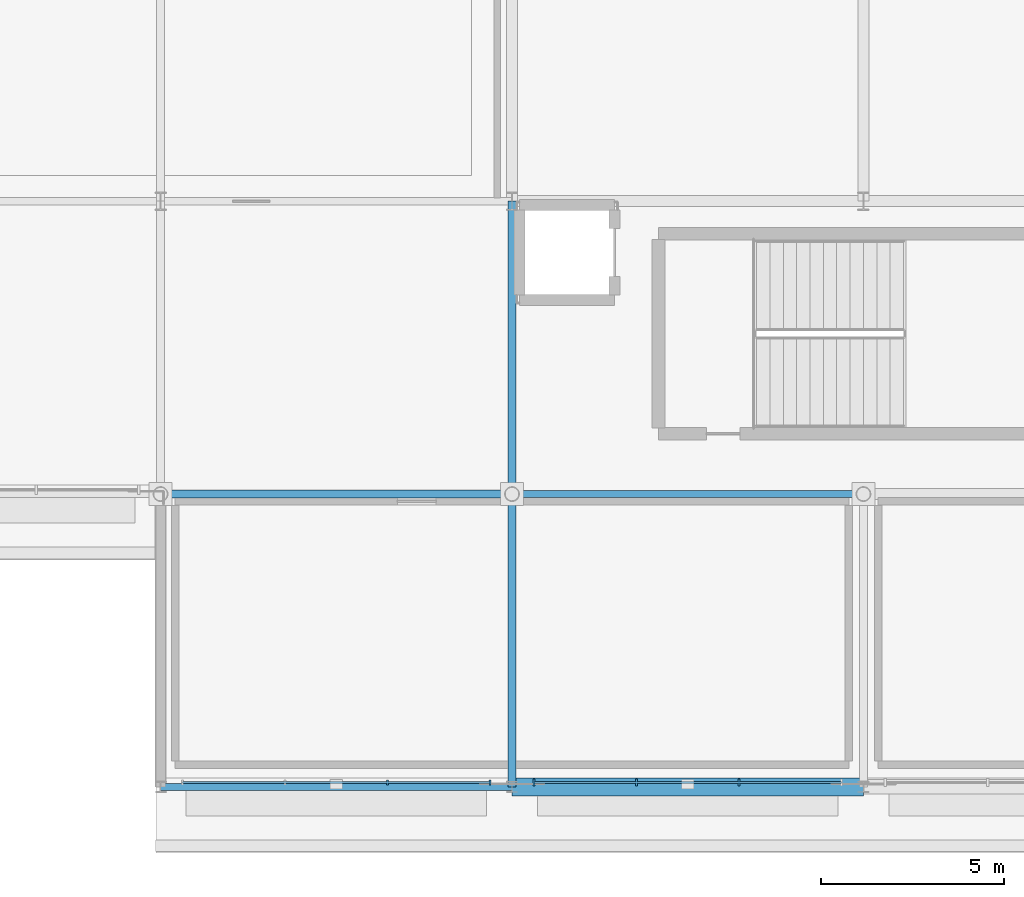
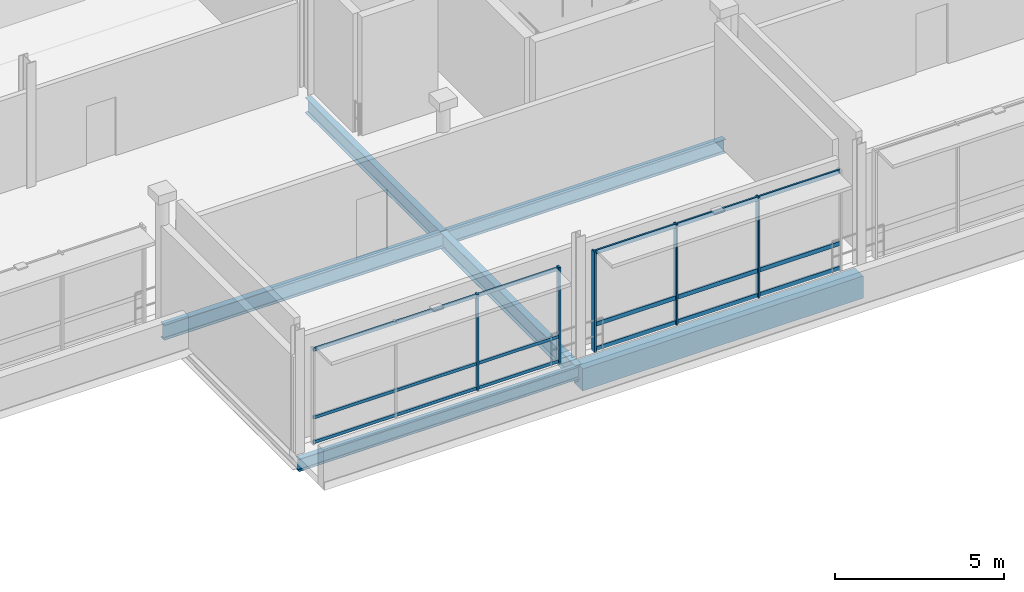
# One storey, part 75 of 193: 11 members, 6 beams, 2 elements without a shape of their own.
"""IFC4 building model written with IfcOpenShell, lengths in metres."""

from ifc_helpers import new_model, si_unit, direction, frame, origin, origin_2d, place, context, subcontext, project, spatial, rectangle, i_section, extrude, material, material_profile, profile_set, type_object, element, aggregate, save


model = new_model("IFC4")

# Units and contexts
model_context = context("Model", 3, precision=1e-05, world=origin(), true_north=direction((0.0, 1.0)))
body_context = subcontext(model_context, "Body", "Model", "MODEL_VIEW")
ifc_project = project(units=[si_unit("LENGTHUNIT", "METRE"), si_unit("AREAUNIT", "SQUARE_METRE"), si_unit("VOLUMEUNIT", "CUBIC_METRE"), si_unit("PLANEANGLEUNIT", "RADIAN"), si_unit("MASSUNIT", "GRAM", prefix="KILO")], contexts=[model_context])

# Site, building, storey
site_placement = place(None, origin())
site = spatial("IfcSite", under=ifc_project, at=site_placement, CompositionType="ELEMENT")
building_placement = place(site_placement, origin())
building = spatial("IfcBuilding", under=site, at=building_placement, Name="Danafjord Basin Convention Centre", CompositionType="ELEMENT")
storey_placement = place(building_placement, frame((0.0, 0.0, 11.39990234375)))
storey = spatial("IfcBuildingStorey", under=building, at=storey_placement, Name="L02", CompositionType="ELEMENT", Elevation=11.39990234375)

# Beams
ifc_material_1 = material(Name="Steel S355", Category="steel")
ifc_material_profile_1 = material_profile(ifc_material_1, i_section(OverallWidth=0.199951171875, OverallDepth=0.5, WebThickness=0.01025390625, FlangeThickness=0.01611328125, FilletRadius=0.02099609375, at=origin_2d()), Name="IPE 500")
ifc_profile_set_1 = profile_set([ifc_material_profile_1], Name="Steel S355")
beam_type_1 = type_object("IfcBeamType", Name="BEAM-BM-IPE500", PredefinedType="BEAM", material=ifc_profile_set_1)
beam_1_placement = place(storey_placement, frame((182.39990234375, 8.0, -0.47998046875), z_axis=(1.0, 0.0, 0.0), x_axis=(0.0, 1.0, 0.0)))
element("IfcBeam", 1, at=beam_1_placement, inside=storey, type_object=beam_type_1, Name="L02 girder BM-IPE500", PredefinedType="BEAM", context=body_context, shape_type="SweptSolid", body=[
    extrude(i_section(OverallWidth=0.199951171875, OverallDepth=0.5, WebThickness=0.01025390625, FlangeThickness=0.01611328125, FilletRadius=0.02099609375, at=origin_2d()), origin(), (0.0, 0.0, 1.0), 9.60009765625),
])
ifc_material_profile_2 = material_profile(ifc_material_1, i_section(OverallWidth=0.2099609375, OverallDepth=0.550048828125, WebThickness=0.010986328125, FlangeThickness=0.01708984375, FilletRadius=0.02392578125, at=origin_2d()), Name="IPE 550")
ifc_profile_set_2 = profile_set([ifc_material_profile_2], Name="Steel S355")
beam_type_2 = type_object("IfcBeamType", Name="BEAM-BM-IPE550", PredefinedType="BEAM", material=ifc_profile_set_2)
beam_2_placement = place(storey_placement, frame((172.800048828125, 8.0, -0.5048828125), z_axis=(1.0, 0.0, 0.0), x_axis=(0.0, 1.0, 0.0)))
element("IfcBeam", 2, at=beam_2_placement, inside=storey, type_object=beam_type_2, Name="L02 girder BM-IPE550", PredefinedType="BEAM", context=body_context, shape_type="SweptSolid", body=[
    extrude(i_section(OverallWidth=0.2099609375, OverallDepth=0.550048828125, WebThickness=0.010986328125, FlangeThickness=0.01708984375, FilletRadius=0.02392578125, at=origin_2d()), origin(), (0.0, 0.0, 1.0), 9.599853515625),
])
beam_3_placement = place(storey_placement, frame((182.39990234375, 8.0, -0.5048828125), z_axis=(0.0, 1.0, 0.0), x_axis=(-1.0, 0.0, 0.0)))
element("IfcBeam", 3, at=beam_3_placement, inside=storey, type_object=beam_type_2, Name="L02 transverse girder BM-IPE550", PredefinedType="BEAM", context=body_context, shape_type="SweptSolid", body=[
    extrude(i_section(OverallWidth=0.2099609375, OverallDepth=0.550048828125, WebThickness=0.010986328125, FlangeThickness=0.01708984375, FilletRadius=0.02392578125, at=origin_2d()), origin(), (0.0, 0.0, 1.0), 8.0),
])
ifc_material_profile_3 = material_profile(ifc_material_1, i_section(OverallWidth=0.219970703125, OverallDepth=0.60009765625, WebThickness=0.011962890625, FlangeThickness=0.01904296875, FilletRadius=0.02392578125, at=origin_2d()), Name="IPE 600")
ifc_profile_set_3 = profile_set([ifc_material_profile_3], Name="Steel S355")
beam_type_3 = type_object("IfcBeamType", Name="BEAM-BM-IPE600", PredefinedType="BEAM", material=ifc_profile_set_3)
beam_4_placement = place(storey_placement, frame((182.39990234375, 0.0, -0.52978515625), z_axis=(0.0, 1.0, 0.0), x_axis=(-1.0, 0.0, 0.0)))
element("IfcBeam", 4, at=beam_4_placement, inside=storey, type_object=beam_type_3, Name="L02 transverse girder BM-IPE600", PredefinedType="BEAM", context=body_context, shape_type="SweptSolid", body=[
    extrude(i_section(OverallWidth=0.219970703125, OverallDepth=0.60009765625, WebThickness=0.011962890625, FlangeThickness=0.01904296875, FilletRadius=0.02392578125, at=origin_2d()), origin(), (0.0, 0.0, 1.0), 8.0),
])
ifc_material_profile_4 = material_profile(ifc_material_1, i_section(OverallWidth=0.18994140625, OverallDepth=0.449951171875, WebThickness=0.009521484375, FlangeThickness=0.0146484375, FilletRadius=0.02099609375, at=origin_2d()), Name="IPE 450")
ifc_profile_set_4 = profile_set([ifc_material_profile_4], Name="Steel S355")
beam_type_4 = type_object("IfcBeamType", Name="BEAM-SP-IPE450", PredefinedType="SPANDREL", material=ifc_profile_set_4)
beam_5_placement = place(storey_placement, frame((172.800048828125, 0.0, -0.454833984375), z_axis=(1.0, 0.0, 0.0), x_axis=(0.0, 1.0, 0.0)))
element("IfcBeam", 5, at=beam_5_placement, inside=storey, type_object=beam_type_4, Name="L02 girder SP-IPE450", PredefinedType="SPANDREL", context=body_context, shape_type="SweptSolid", body=[
    extrude(i_section(OverallWidth=0.18994140625, OverallDepth=0.449951171875, WebThickness=0.009521484375, FlangeThickness=0.0146484375, FilletRadius=0.02099609375, at=origin_2d()), origin(), (0.0, 0.0, 1.0), 9.599853515625),
])
ifc_material_2 = material(Name="Precast concrete C45/55", Category="concrete")
ifc_material_profile_5 = material_profile(ifc_material_2, rectangle(XDim=0.5, YDim=0.800048828125, at=origin_2d()), Name="PCB 500x800")
ifc_profile_set_5 = profile_set([ifc_material_profile_5], Name="Precast concrete C45/55")
beam_type_5 = type_object("IfcBeamType", Name="BEAM-SP-PCB800", PredefinedType="SPANDREL", material=ifc_profile_set_5)
beam_6_placement = place(storey_placement, frame((182.39990234375, 0.0, -0.6298828125), z_axis=(1.0, 0.0, 0.0), x_axis=(0.0, 1.0, 0.0)))
element("IfcBeam", 6, at=beam_6_placement, inside=storey, type_object=beam_type_5, Name="L02 girder SP-PCB800", PredefinedType="SPANDREL", context=body_context, shape_type="SweptSolid", body=[
    extrude(rectangle(XDim=0.5, YDim=0.800048828125, at=origin_2d()), origin(), (0.0, 0.0, 1.0), 9.60009765625),
])

# Curtain wall, members
ifc_material_3 = material(Name="Anodised aluminium and triple glazing", Category="aluminium")
curtain_wall_type = type_object("IfcCurtainWallType", Name="CW-CW-HARB", PredefinedType="NOTDEFINED", material=ifc_material_3)
curtain_wall_1_placement = place(storey_placement, origin())
curtain_wall_1 = element("IfcCurtainWall", 7, at=curtain_wall_1_placement, inside=storey, type_object=curtain_wall_type, Name="L02 CW-HARB unitised curtain wall bay 135", PredefinedType="NOTDEFINED")
ifc_material_4 = material(Name="Anodised aluminium EN AW-6060", Category="aluminium")
ifc_material_profile_6 = material_profile(ifc_material_4, rectangle(XDim=0.06005859375, YDim=0.139892578125, at=origin_2d()), Name="MULL 60x140")
ifc_profile_set_6 = profile_set([ifc_material_profile_6], Name="Anodised aluminium EN AW-6060")
member_type_1 = type_object("IfcMemberType", Name="MEM-ML-140", PredefinedType="MULLION", material=ifc_profile_set_6)
member_1_placement = place(storey_placement, frame((179.0, 0.1201171875, -0.02490234375), z_axis=(0.0, 0.0, 1.0), x_axis=(1.0, 0.0, 0.0)))
member_1 = element("IfcMember", 8, at=member_1_placement, type_object=member_type_1, Name="CW-L02-135 mullion 3", PredefinedType="MULLION", context=body_context, shape_type="SweptSolid", body=[
    extrude(rectangle(XDim=0.06005859375, YDim=0.139892578125, at=origin_2d()), origin(), (0.0, 0.0, 1.0), 3.490966796875),
])
member_2_placement = place(storey_placement, frame((181.800048828125, 0.1201171875, -0.02490234375), z_axis=(0.0, 0.0, 1.0), x_axis=(1.0, 0.0, 0.0)))
member_2 = element("IfcMember", 9, at=member_2_placement, type_object=member_type_1, Name="CW-L02-135 mullion 4", PredefinedType="MULLION", context=body_context, shape_type="SweptSolid", body=[
    extrude(rectangle(XDim=0.06005859375, YDim=0.139892578125, at=origin_2d()), origin(), (0.0, 0.0, 1.0), 3.490966796875),
])

curtain_wall_2_placement = place(storey_placement, origin())
curtain_wall_2 = element("IfcCurtainWall", 10, at=curtain_wall_2_placement, inside=storey, type_object=curtain_wall_type, Name="L02 CW-HARB unitised curtain wall bay 136", PredefinedType="NOTDEFINED")
ifc_material_profile_7 = material_profile(ifc_material_4, rectangle(XDim=0.06005859375, YDim=0.179931640625, at=origin_2d()), Name="MULL 60x180")
ifc_profile_set_7 = profile_set([ifc_material_profile_7], Name="Anodised aluminium EN AW-6060")
member_type_2 = type_object("IfcMemberType", Name="MEM-ML-180", PredefinedType="MULLION", material=ifc_profile_set_7)
member_3_placement = place(storey_placement, frame((183.0, 0.1201171875, -0.02490234375), z_axis=(0.0, 0.0, 1.0), x_axis=(1.0, 0.0, 0.0)))
member_3 = element("IfcMember", 11, at=member_3_placement, type_object=member_type_2, Name="CW-L02-136 mullion 1", PredefinedType="MULLION", context=body_context, shape_type="SweptSolid", body=[
    extrude(rectangle(XDim=0.06005859375, YDim=0.179931640625, at=origin_2d()), origin(), (0.0, 0.0, 1.0), 3.64111328125),
])
member_4_placement = place(storey_placement, frame((185.800048828125, 0.1201171875, -0.02490234375), z_axis=(0.0, 0.0, 1.0), x_axis=(1.0, 0.0, 0.0)))
member_4 = element("IfcMember", 12, at=member_4_placement, type_object=member_type_2, Name="CW-L02-136 mullion 2", PredefinedType="MULLION", context=body_context, shape_type="SweptSolid", body=[
    extrude(rectangle(XDim=0.06005859375, YDim=0.179931640625, at=origin_2d()), origin(), (0.0, 0.0, 1.0), 3.64111328125),
])
member_5_placement = place(storey_placement, frame((188.60009765625, 0.1201171875, -0.02490234375), z_axis=(0.0, 0.0, 1.0), x_axis=(1.0, 0.0, 0.0)))
member_5 = element("IfcMember", 13, at=member_5_placement, type_object=member_type_2, Name="CW-L02-136 mullion 3", PredefinedType="MULLION", context=body_context, shape_type="SweptSolid", body=[
    extrude(rectangle(XDim=0.06005859375, YDim=0.179931640625, at=origin_2d()), origin(), (0.0, 0.0, 1.0), 3.64111328125),
])

# Member
ifc_material_profile_8 = material_profile(ifc_material_4, rectangle(XDim=0.06005859375, YDim=0.110107421875, at=origin_2d()), Name="TRAN 60x110")
ifc_profile_set_8 = profile_set([ifc_material_profile_8], Name="Anodised aluminium EN AW-6060")
member_type_3 = type_object("IfcMemberType", Name="MEM-TR-110", PredefinedType="USERDEFINED", material=ifc_profile_set_8)
member_6_placement = place(storey_placement, frame((173.39990234375, 0.1201171875, 0.06005859375), z_axis=(1.0, 0.0, 0.0), x_axis=(0.0, 1.0, 0.0)))
member_6 = element("IfcMember", 14, at=member_6_placement, type_object=member_type_3, Name="CW-L02-135 transom 1", ObjectType="TRANSOM", PredefinedType="USERDEFINED", context=body_context, shape_type="SweptSolid", body=[
    extrude(rectangle(XDim=0.06005859375, YDim=0.110107421875, at=origin_2d()), origin(), (0.0, 0.0, 1.0), 8.400146484375),
])

member_7_placement = place(storey_placement, frame((173.39990234375, 0.1201171875, 0.9501953125), z_axis=(1.0, 0.0, 0.0), x_axis=(0.0, 1.0, 0.0)))
member_7 = element("IfcMember", 15, at=member_7_placement, type_object=member_type_3, Name="CW-L02-135 transom 2", ObjectType="TRANSOM", PredefinedType="USERDEFINED", context=body_context, shape_type="SweptSolid", body=[
    extrude(rectangle(XDim=0.06005859375, YDim=0.110107421875, at=origin_2d()), origin(), (0.0, 0.0, 1.0), 8.400146484375),
])

member_8_placement = place(storey_placement, frame((173.39990234375, 0.1201171875, 3.39599609375), z_axis=(1.0, 0.0, 0.0), x_axis=(0.0, 1.0, 0.0)))
member_8 = element("IfcMember", 16, at=member_8_placement, type_object=member_type_3, Name="CW-L02-135 transom 3", ObjectType="TRANSOM", PredefinedType="USERDEFINED", context=body_context, shape_type="SweptSolid", body=[
    extrude(rectangle(XDim=0.06005859375, YDim=0.110107421875, at=origin_2d()), origin(), (0.0, 0.0, 1.0), 8.400146484375),
])

aggregate(curtain_wall_1, [member_1, member_2, member_6, member_7, member_8])

ifc_material_profile_9 = material_profile(ifc_material_4, rectangle(XDim=0.06005859375, YDim=0.14990234375, at=origin_2d()), Name="TRAN 60x150")
ifc_profile_set_9 = profile_set([ifc_material_profile_9], Name="Anodised aluminium EN AW-6060")
member_type_4 = type_object("IfcMemberType", Name="MEM-TR-150", PredefinedType="USERDEFINED", material=ifc_profile_set_9)
member_9_placement = place(storey_placement, frame((183.0, 0.1201171875, 0.06005859375), z_axis=(1.0, 0.0, 0.0), x_axis=(0.0, 1.0, 0.0)))
member_9 = element("IfcMember", 17, at=member_9_placement, type_object=member_type_4, Name="CW-L02-136 transom 1", ObjectType="TRANSOM", PredefinedType="USERDEFINED", context=body_context, shape_type="SweptSolid", body=[
    extrude(rectangle(XDim=0.06005859375, YDim=0.14990234375, at=origin_2d()), origin(), (0.0, 0.0, 1.0), 8.39990234375),
])

member_10_placement = place(storey_placement, frame((183.0, 0.1201171875, 0.9501953125), z_axis=(1.0, 0.0, 0.0), x_axis=(0.0, 1.0, 0.0)))
member_10 = element("IfcMember", 18, at=member_10_placement, type_object=member_type_4, Name="CW-L02-136 transom 2", ObjectType="TRANSOM", PredefinedType="USERDEFINED", context=body_context, shape_type="SweptSolid", body=[
    extrude(rectangle(XDim=0.06005859375, YDim=0.14990234375, at=origin_2d()), origin(), (0.0, 0.0, 1.0), 8.39990234375),
])

member_11_placement = place(storey_placement, frame((183.0, 0.1201171875, 3.546142578125), z_axis=(1.0, 0.0, 0.0), x_axis=(0.0, 1.0, 0.0)))
member_11 = element("IfcMember", 19, at=member_11_placement, type_object=member_type_4, Name="CW-L02-136 transom 3", ObjectType="TRANSOM", PredefinedType="USERDEFINED", context=body_context, shape_type="SweptSolid", body=[
    extrude(rectangle(XDim=0.06005859375, YDim=0.14990234375, at=origin_2d()), origin(), (0.0, 0.0, 1.0), 8.39990234375),
])

aggregate(curtain_wall_2, [member_3, member_4, member_5, member_9, member_10, member_11])

save(model, "model.ifc")
